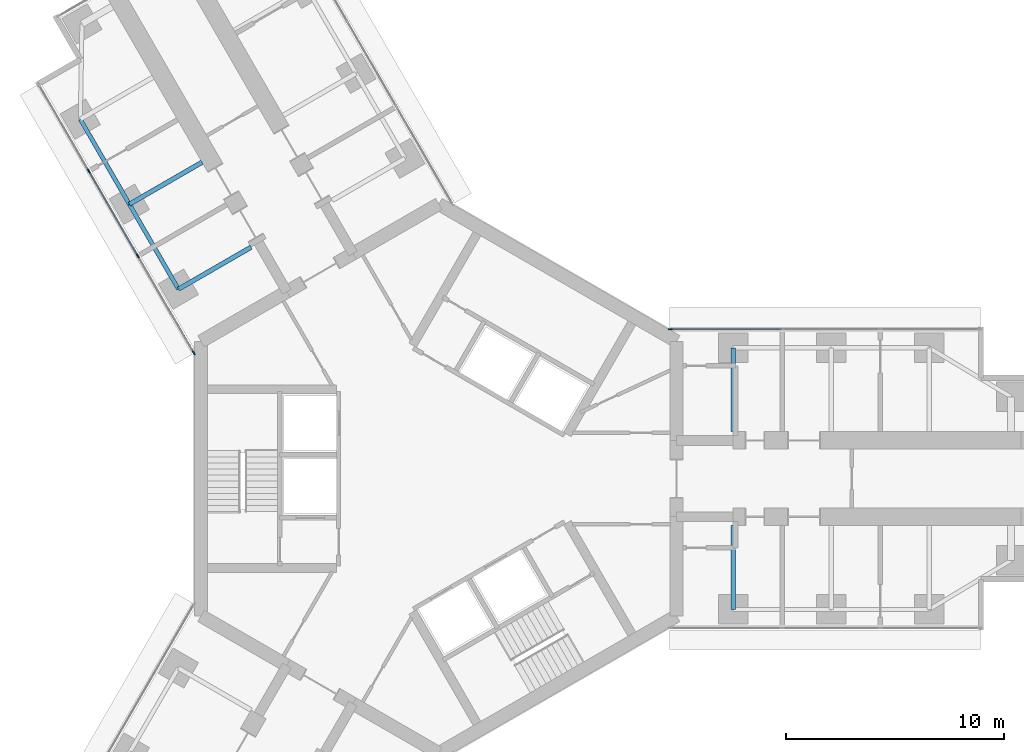
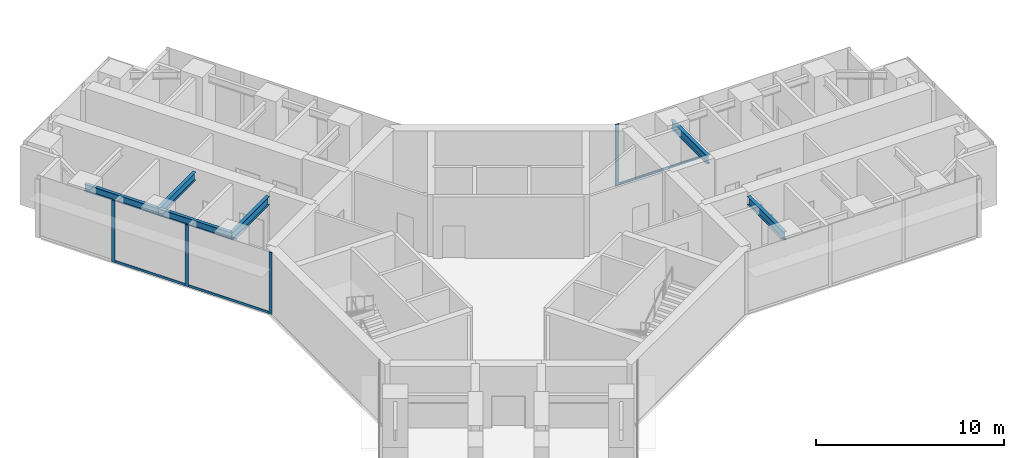
# One storey, part 5 of 21: 7 members, 6 beams, 2 elements without a shape of their own.
"""IFC4 building model written with IfcOpenShell, lengths in metres."""

from ifc_helpers import new_model, si_unit, direction, frame, origin, origin_2d, place, context, subcontext, project, spatial, rectangle, i_section, extrude, material, material_profile, profile_set, type_object, element, aggregate, save


model = new_model("IFC4")

# Units and contexts
model_context = context("Model", 3, precision=1e-05, world=origin(), true_north=direction((0.0, 1.0)))
body_context = subcontext(model_context, "Body", "Model", "MODEL_VIEW")
ifc_project = project(units=[si_unit("LENGTHUNIT", "METRE"), si_unit("AREAUNIT", "SQUARE_METRE"), si_unit("VOLUMEUNIT", "CUBIC_METRE"), si_unit("PLANEANGLEUNIT", "RADIAN"), si_unit("MASSUNIT", "GRAM", prefix="KILO")], contexts=[model_context])

# Site, building, storey
site_placement = place(None, origin())
site = spatial("IfcSite", under=ifc_project, at=site_placement, CompositionType="ELEMENT")
building_placement = place(site_placement, origin())
building = spatial("IfcBuilding", under=site, at=building_placement, Name="Upepo Twin Towers", CompositionType="ELEMENT")
storey_placement = place(building_placement, frame((0.0, 0.0, 113.5)))
storey = spatial("IfcBuildingStorey", under=building, at=storey_placement, Name="L27", CompositionType="ELEMENT", Elevation=113.5)

# Beams
ifc_material_1 = material(Name="Steel S355", Category="steel")
ifc_material_profile_1 = material_profile(ifc_material_1, i_section(OverallWidth=0.1904296875, OverallDepth=0.45703125, WebThickness=0.009033203125, FlangeThickness=0.014404296875, FilletRadius=0.01025390625, at=origin_2d()), Name="UB 457x191x74")
ifc_profile_set_1 = profile_set([ifc_material_profile_1], Name="Steel S355")
beam_type_1 = type_object("IfcBeamType", Name="Beam UB 457x191x74", PredefinedType="BEAM", material=ifc_profile_set_1)
beam_1_placement = place(storey_placement, frame((-11.946044921875, 8.69140625, 3.571533203125), z_axis=(-0.500013631625, 0.866017533419, 0.0), x_axis=(-0.866017533419, -0.500013631625, 0.0)))
element("IfcBeam", 1, at=beam_1_placement, inside=storey, type_object=beam_type_1, Name="T1 edge beam BL 13.5-18.0", PredefinedType="BEAM", context=body_context, shape_type="SweptSolid", body=[
    extrude(i_section(OverallWidth=0.1904296875, OverallDepth=0.45703125, WebThickness=0.009033203125, FlangeThickness=0.014404296875, FilletRadius=0.01025390625, at=origin_2d()), origin(), (0.0, 0.0, 1.0), 4.499755859375),
])
beam_2_placement = place(storey_placement, frame((-14.196044921875, 12.58837890625, 3.571533203125), z_axis=(-0.499990139034, 0.866031096941, 0.0), x_axis=(-0.866031096941, -0.499990139034, 0.0)))
element("IfcBeam", 2, at=beam_2_placement, inside=storey, type_object=beam_type_1, Name="T1 edge beam BL 18.0-22.5", PredefinedType="BEAM", context=body_context, shape_type="SweptSolid", body=[
    extrude(i_section(OverallWidth=0.1904296875, OverallDepth=0.45703125, WebThickness=0.009033203125, FlangeThickness=0.014404296875, FilletRadius=0.01025390625, at=origin_2d()), origin(), (0.0, 0.0, 1.0), 4.5),
])
ifc_material_2 = material(Name="Steel S355", Category="steel")
ifc_material_profile_2 = material_profile(ifc_material_2, i_section(OverallWidth=0.209228515625, OverallDepth=0.533203125, WebThickness=0.010009765625, FlangeThickness=0.015625, FilletRadius=0.0126953125, at=origin_2d()), Name="UB 533x210x92")
ifc_profile_set_2 = profile_set([ifc_material_profile_2], Name="Steel S355")
beam_type_2 = type_object("IfcBeamType", Name="Beam UB 533x210x92", PredefinedType="BEAM", material=ifc_profile_set_2)
for number, where, z_axis, x_axis, name in (
    (3, (13.5, 6.0, 3.533447265625), (0.0, -1.0, 0.0), (1.0, 0.0, 0.0), "T1 girder AL at 13.5"),
    (4, (13.5, -6.0, 3.533447265625), (0.0, 1.0, 0.0), (-1.0, 0.0, 0.0), "T1 girder AR at 13.5"),
):
    element("IfcBeam", number, at=place(storey_placement, frame(where, z_axis=z_axis, x_axis=x_axis)), inside=storey, type_object=beam_type_2, Name=name, PredefinedType="BEAM", context=body_context, shape_type="SweptSolid", body=[
        extrude(i_section(OverallWidth=0.209228515625, OverallDepth=0.533203125, WebThickness=0.010009765625, FlangeThickness=0.015625, FilletRadius=0.0126953125, at=origin_2d()), origin(), (0.0, 0.0, 1.0), 3.85009765625),
    ])
for number, where, z_axis, x_axis, name in (
    (5, (-11.946044921875, 8.69140625, 3.533447265625), (0.866006051527, 0.500033517596, 0.0), (-0.500033517596, 0.866006051527, 0.0), "T1 girder BL at 13.5"),
    (6, (-14.196044921875, 12.58837890625, 3.533447265625), (0.866006051527, 0.500033517596, 0.0), (-0.500033517596, 0.866006051527, 0.0), "T1 girder BL at 18.0"),
):
    element("IfcBeam", number, at=place(storey_placement, frame(where, z_axis=z_axis, x_axis=x_axis)), inside=storey, type_object=beam_type_2, Name=name, PredefinedType="BEAM", context=body_context, shape_type="SweptSolid", body=[
        extrude(i_section(OverallWidth=0.209228515625, OverallDepth=0.533203125, WebThickness=0.010009765625, FlangeThickness=0.015625, FilletRadius=0.0126953125, at=origin_2d()), origin(), (0.0, 0.0, 1.0), 3.849853515625),
    ])

# Curtain wall, member
ifc_material_3 = material(Name="Aluminium and fritted glass", Category="aluminium")
curtain_wall_type = type_object("IfcCurtainWallType", Name="Tower curtain wall TW2, fritted glass", PredefinedType="NOTDEFINED", material=ifc_material_3)
curtain_wall_1_placement = place(storey_placement, origin())
curtain_wall_1 = element("IfcCurtainWall", 7, at=curtain_wall_1_placement, inside=storey, type_object=curtain_wall_type, Name="T1 L27 wing A flank L curtain wall", PredefinedType="NOTDEFINED")
ifc_material_4 = material(Name="Aluminium mullion", Category="aluminium")
ifc_material_profile_3 = material_profile(ifc_material_4, rectangle(XDim=0.06494140625, YDim=0.199951171875, at=origin_2d()), Name="MULLION 65x200")
ifc_profile_set_3 = profile_set([ifc_material_profile_3], Name="Aluminium mullion")
member_type_1 = type_object("IfcMemberType", Name="Mullion 65x200 TW2", PredefinedType="MULLION", material=ifc_profile_set_3)
member_1_placement = place(storey_placement, frame((10.61962890625, 6.85009765625, 0.0), z_axis=(0.0, 0.0, 1.0), x_axis=(0.0, 1.0, 0.0)))
member_1 = element("IfcMember", 8, at=member_1_placement, type_object=member_type_1, Name="T1 L27 wing A flank L curtain wall mullion 1", PredefinedType="MULLION", context=body_context, shape_type="SweptSolid", body=[
    extrude(rectangle(XDim=0.06494140625, YDim=0.199951171875, at=origin_2d()), origin(), (0.0, 0.0, 1.0), 4.0),
])

# Curtain wall, members
curtain_wall_2_placement = place(storey_placement, origin())
curtain_wall_2 = element("IfcCurtainWall", 9, at=curtain_wall_2_placement, inside=storey, type_object=curtain_wall_type, Name="T1 L27 wing B flank L curtain wall", PredefinedType="NOTDEFINED")
member_2_placement = place(storey_placement, frame((-11.2421875, 5.77197265625, 0.0), z_axis=(0.0, 0.0, 1.0), x_axis=(-0.866025397833, -0.500000010308, 0.0)))
member_2 = element("IfcMember", 10, at=member_2_placement, type_object=member_type_1, Name="T1 L27 wing B flank L curtain wall mullion 1", PredefinedType="MULLION", context=body_context, shape_type="SweptSolid", body=[
    extrude(rectangle(XDim=0.06494140625, YDim=0.199951171875, at=origin_2d()), origin(), (0.0, 0.0, 1.0), 4.0),
])
member_3_placement = place(storey_placement, frame((-13.807373046875, 10.21484375, 0.0), z_axis=(0.0, 0.0, 1.0), x_axis=(-0.866025397833, -0.500000010308, 0.0)))
member_3 = element("IfcMember", 11, at=member_3_placement, type_object=member_type_1, Name="T1 L27 wing B flank L curtain wall mullion 2", PredefinedType="MULLION", context=body_context, shape_type="SweptSolid", body=[
    extrude(rectangle(XDim=0.06494140625, YDim=0.199951171875, at=origin_2d()), origin(), (0.0, 0.0, 1.0), 4.0),
])
member_4_placement = place(storey_placement, frame((-16.057373046875, 14.112060546875, 0.0), z_axis=(0.0, 0.0, 1.0), x_axis=(-0.866025397833, -0.500000010308, 0.0)))
member_4 = element("IfcMember", 12, at=member_4_placement, type_object=member_type_1, Name="T1 L27 wing B flank L curtain wall mullion 3", PredefinedType="MULLION", context=body_context, shape_type="SweptSolid", body=[
    extrude(rectangle(XDim=0.06494140625, YDim=0.199951171875, at=origin_2d()), origin(), (0.0, 0.0, 1.0), 4.0),
])

# Member
ifc_material_5 = material(Name="Aluminium transom", Category="aluminium")
ifc_material_profile_4 = material_profile(ifc_material_5, rectangle(XDim=0.06494140625, YDim=0.14990234375, at=origin_2d()), Name="TRANSOM 65x150")
ifc_profile_set_4 = profile_set([ifc_material_profile_4], Name="Aluminium transom")
member_type_2 = type_object("IfcMemberType", Name="Transom 65x150 TW2", PredefinedType="USERDEFINED", material=ifc_profile_set_4)
member_5_placement = place(storey_placement, frame((10.652099609375, 6.85009765625, 0.074951171875), z_axis=(1.0, 0.0, 0.0), x_axis=(0.0, 1.0, 0.0)))
member_5 = element("IfcMember", 13, at=member_5_placement, type_object=member_type_2, Name="T1 L27 wing A flank L curtain wall transom 1", ObjectType="TRANSOM", PredefinedType="USERDEFINED", context=body_context, shape_type="SweptSolid", body=[
    extrude(rectangle(XDim=0.06494140625, YDim=0.14990234375, at=origin_2d()), origin(), (0.0, 0.0, 1.0), 5.0654296875),
])

aggregate(curtain_wall_1, [member_1, member_5])

member_6_placement = place(storey_placement, frame((-11.25830078125, 5.800048828125, 0.074951171875), z_axis=(-0.500006158363, 0.866021848223, 0.0), x_axis=(-0.866021848223, -0.500006158363, 0.0)))
member_6 = element("IfcMember", 14, at=member_6_placement, type_object=member_type_2, Name="T1 L27 wing B flank L curtain wall transom 1", ObjectType="TRANSOM", PredefinedType="USERDEFINED", context=body_context, shape_type="SweptSolid", body=[
    extrude(rectangle(XDim=0.06494140625, YDim=0.14990234375, at=origin_2d()), origin(), (0.0, 0.0, 1.0), 5.0654296875),
])

member_7_placement = place(storey_placement, frame((-13.823486328125, 10.2431640625, 0.074951171875), z_axis=(-0.500005184116, 0.866022410713, 0.0), x_axis=(-0.866022410713, -0.500005184116, 0.0)))
member_7 = element("IfcMember", 15, at=member_7_placement, type_object=member_type_2, Name="T1 L27 wing B flank L curtain wall transom 2", ObjectType="TRANSOM", PredefinedType="USERDEFINED", context=body_context, shape_type="SweptSolid", body=[
    extrude(rectangle(XDim=0.06494140625, YDim=0.14990234375, at=origin_2d()), origin(), (0.0, 0.0, 1.0), 4.43505859375),
])

aggregate(curtain_wall_2, [member_2, member_3, member_4, member_6, member_7])

save(model, "model.ifc")
